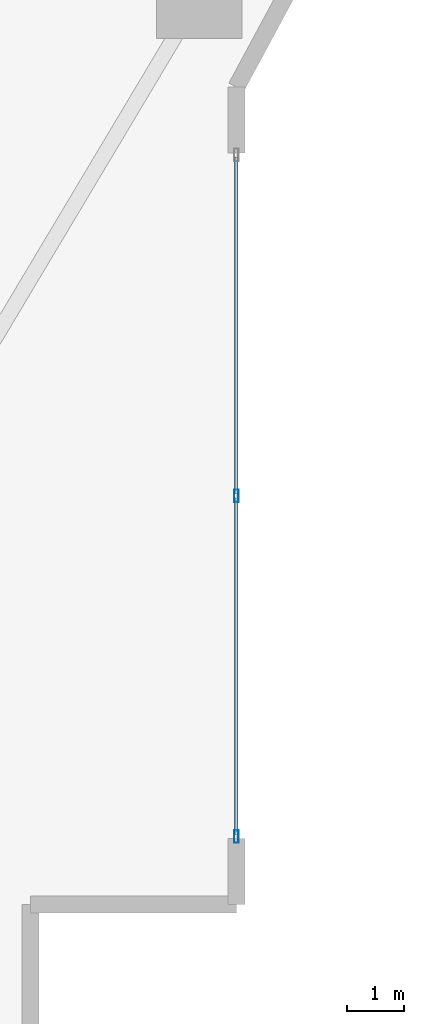
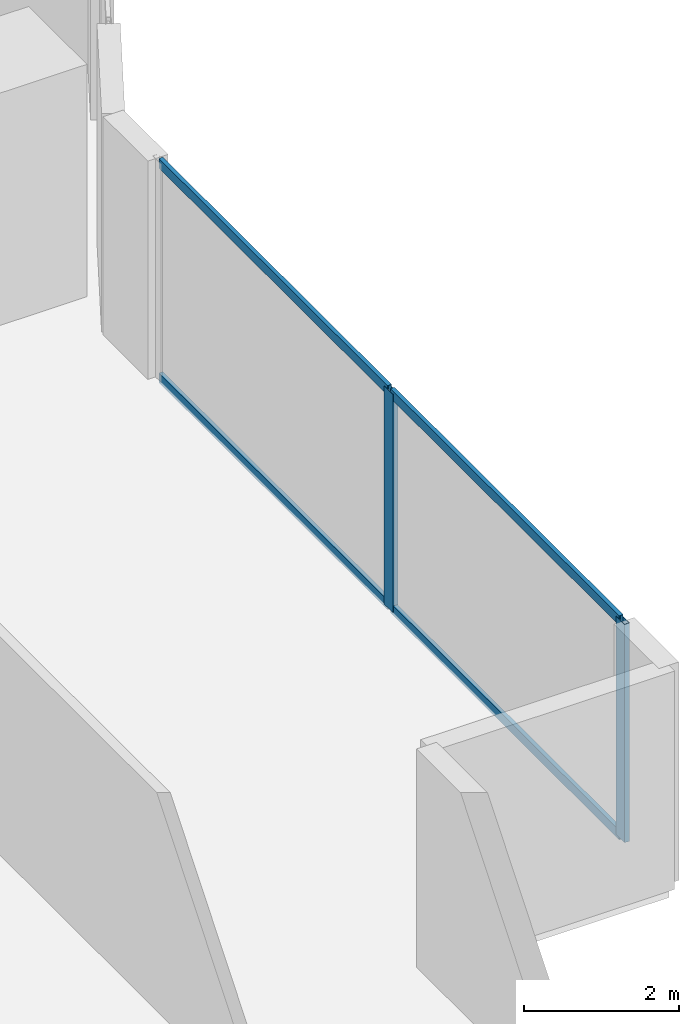
# One storey, part 10 of 28: 6 members, 1 element without a shape of its own.
"""IFC4 building model written with IfcOpenShell, lengths in metres."""

from ifc_helpers import new_model, si_unit, direction, frame, origin, origin_2d, place, context, subcontext, project, spatial, hollow_rectangle, extrude, material, layer, layer_set, material_profile, profile_set, type_object, element, aggregate, save


model = new_model("IFC4")

# Units and contexts
model_context = context("Model", 3, precision=1e-05, world=origin(), true_north=direction((0.0, 1.0)))
body_context = subcontext(model_context, "Body", "Model", "MODEL_VIEW")
ifc_project = project(units=[si_unit("LENGTHUNIT", "METRE"), si_unit("AREAUNIT", "SQUARE_METRE"), si_unit("VOLUMEUNIT", "CUBIC_METRE"), si_unit("PLANEANGLEUNIT", "RADIAN"), si_unit("MASSUNIT", "GRAM", prefix="KILO")], contexts=[model_context])

# Site, building, storey
site_placement = place(None, origin())
site = spatial("IfcSite", under=ifc_project, at=site_placement, CompositionType="ELEMENT")
building_placement = place(site_placement, origin())
building = spatial("IfcBuilding", under=site, at=building_placement, Name="Zuhayl Quay Hotel", CompositionType="ELEMENT")
storey_placement = place(building_placement, frame((0.0, 0.0, 56.800048828125)))
storey = spatial("IfcBuildingStorey", under=building, at=storey_placement, Name="L13", CompositionType="ELEMENT", Elevation=56.800048828125)

# Curtain wall, members
ifc_material_1 = material(Name="Anodised Aluminium 6063-T6", Category="aluminium")
ifc_layer = layer(ifc_material_1, 0.18994140625, Name="Anodised Aluminium 6063-T6", Category="aluminium")
ifc_layer_set = layer_set([ifc_layer], Name="Anodised Aluminium 6063-T6")
curtain_wall_type = type_object("IfcCurtainWallType", Name="CW_SYS_Z1", PredefinedType="USERDEFINED", material=ifc_layer_set)
curtain_wall_placement = place(storey_placement, origin())
curtain_wall = element("IfcCurtainWall", 1, at=curtain_wall_placement, inside=storey, type_object=curtain_wall_type, Name="L13 Curtain Wall ENV_L13_E14_CW1", ObjectType="UNITISED CURTAIN WALL", PredefinedType="USERDEFINED")
ifc_material_2 = material(Name="Black-anodised aluminium 6063-T6", Category="aluminium")
ifc_material_profile_1 = material_profile(ifc_material_2, hollow_rectangle(XDim=0.074951171875, YDim=0.219970703125, WallThickness=0.00390625, at=origin_2d()), Name="ALU220X75")
ifc_profile_set_1 = profile_set([ifc_material_profile_1], Name="Black-anodised aluminium 6063-T6")
member_type_1 = type_object("IfcMemberType", Name="MB_CW_MUL_220", PredefinedType="MULLION", material=ifc_profile_set_1)
member_1_placement = place(storey_placement, frame((25.699951171875, -12.35009765625, 0.0), z_axis=(0.0, 0.0, 1.0), x_axis=(1.0, 0.0, 0.0)))
member_1 = element("IfcMember", 2, at=member_1_placement, type_object=member_type_1, Name="CW-Z1 mullion 2", PredefinedType="MULLION", context=body_context, shape_type="SweptSolid", body=[
    extrude(hollow_rectangle(XDim=0.074951171875, YDim=0.219970703125, WallThickness=0.00390625, at=origin_2d()), origin(), (0.0, 0.0, 1.0), 3.429931640625),
])
member_2_placement = place(storey_placement, frame((25.699951171875, -18.3125, 0.0), z_axis=(0.0, 0.0, 1.0), x_axis=(1.0, 0.0, 0.0)))
member_2 = element("IfcMember", 3, at=member_2_placement, type_object=member_type_1, Name="CW-Z1 mullion 3", PredefinedType="MULLION", context=body_context, shape_type="SweptSolid", body=[
    extrude(hollow_rectangle(XDim=0.074951171875, YDim=0.219970703125, WallThickness=0.00390625, at=origin_2d()), origin(), (0.0, 0.0, 1.0), 3.429931640625),
])
ifc_material_profile_2 = material_profile(ifc_material_2, hollow_rectangle(XDim=0.06005859375, YDim=0.14990234375, WallThickness=0.00341796875, at=origin_2d()), Name="ALU150X60")
ifc_profile_set_2 = profile_set([ifc_material_profile_2], Name="Black-anodised aluminium 6063-T6")
member_type_2 = type_object("IfcMemberType", Name="MB_CW_TRN_150", PredefinedType="USERDEFINED", material=ifc_profile_set_2)
member_3_placement = place(storey_placement, frame((25.699951171875, -6.425048828125, 0.030029296875), z_axis=(0.0, -1.0, 0.0), x_axis=(1.0, 0.0, 0.0)))
member_3 = element("IfcMember", 4, at=member_3_placement, type_object=member_type_2, Name="CW-Z1 transom 1.1", ObjectType="TRANSOM", PredefinedType="USERDEFINED", context=body_context, shape_type="SweptSolid", body=[
    extrude(hollow_rectangle(XDim=0.06005859375, YDim=0.14990234375, WallThickness=0.00341796875, at=origin_2d()), origin(), (0.0, 0.0, 1.0), 5.887451171875),
])
member_4_placement = place(storey_placement, frame((25.699951171875, -6.425048828125, 3.39990234375), z_axis=(0.0, -1.0, 0.0), x_axis=(1.0, 0.0, 0.0)))
member_4 = element("IfcMember", 5, at=member_4_placement, type_object=member_type_2, Name="CW-Z1 transom 1.2", ObjectType="TRANSOM", PredefinedType="USERDEFINED", context=body_context, shape_type="SweptSolid", body=[
    extrude(hollow_rectangle(XDim=0.06005859375, YDim=0.14990234375, WallThickness=0.00341796875, at=origin_2d()), origin(), (0.0, 0.0, 1.0), 5.887451171875),
])
member_5_placement = place(storey_placement, frame((25.699951171875, -12.387451171875, 0.030029296875), z_axis=(0.0, -1.0, 0.0), x_axis=(1.0, 0.0, 0.0)))
member_5 = element("IfcMember", 6, at=member_5_placement, type_object=member_type_2, Name="CW-Z1 transom 2.1", ObjectType="TRANSOM", PredefinedType="USERDEFINED", context=body_context, shape_type="SweptSolid", body=[
    extrude(hollow_rectangle(XDim=0.06005859375, YDim=0.14990234375, WallThickness=0.00341796875, at=origin_2d()), origin(), (0.0, 0.0, 1.0), 5.887451171875),
])
member_6_placement = place(storey_placement, frame((25.699951171875, -12.387451171875, 3.39990234375), z_axis=(0.0, -1.0, 0.0), x_axis=(1.0, 0.0, 0.0)))
member_6 = element("IfcMember", 7, at=member_6_placement, type_object=member_type_2, Name="CW-Z1 transom 2.2", ObjectType="TRANSOM", PredefinedType="USERDEFINED", context=body_context, shape_type="SweptSolid", body=[
    extrude(hollow_rectangle(XDim=0.06005859375, YDim=0.14990234375, WallThickness=0.00341796875, at=origin_2d()), origin(), (0.0, 0.0, 1.0), 5.887451171875),
])
aggregate(curtain_wall, [member_1, member_2, member_3, member_4, member_5, member_6])

save(model, "model.ifc")
